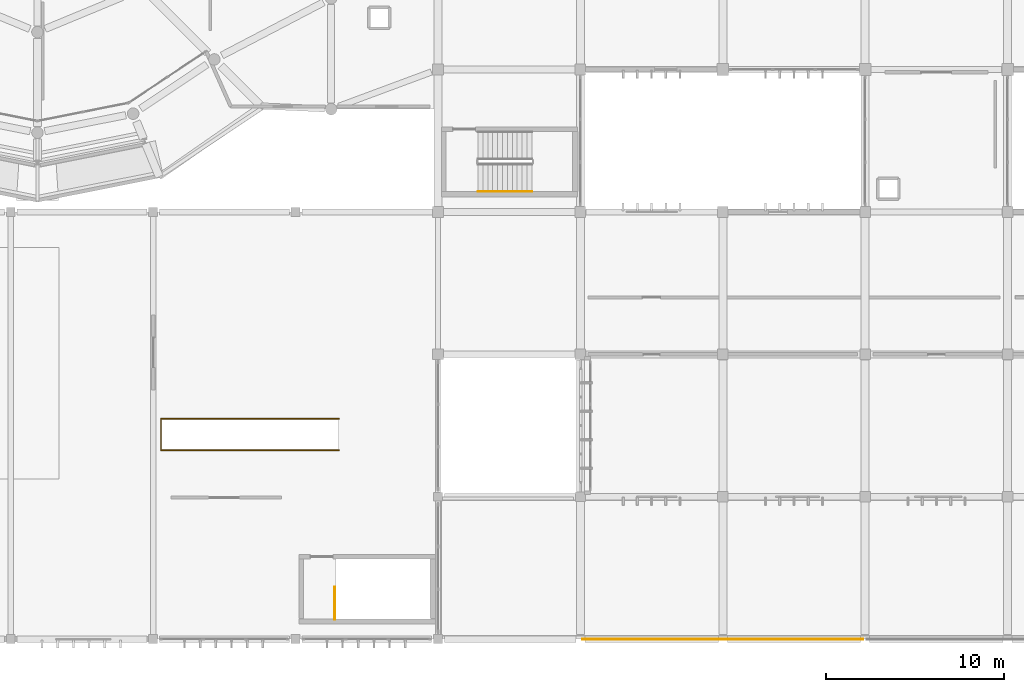
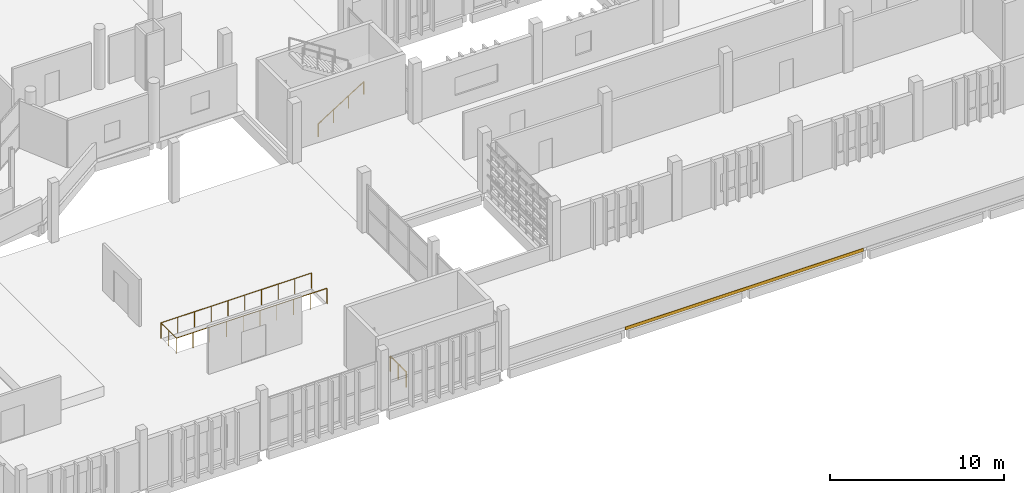
# One storey, part 128 of 137: 3 railings, 1 covering.
"""IFC4 building model written with IfcOpenShell, lengths in metres."""

from ifc_helpers import new_model, si_unit, direction, frame, origin, origin_2d, place, context, subcontext, project, spatial, rectangle, circle, extrude, material, layer, layer_set, type_object, element, save


model = new_model("IFC4")

# Units and contexts
model_context = context("Model", 3, precision=1e-05, world=origin(), true_north=direction((0.0, 1.0)))
body_context = subcontext(model_context, "Body", "Model", "MODEL_VIEW")
ifc_project = project(units=[si_unit("LENGTHUNIT", "METRE"), si_unit("AREAUNIT", "SQUARE_METRE"), si_unit("VOLUMEUNIT", "CUBIC_METRE"), si_unit("PLANEANGLEUNIT", "RADIAN"), si_unit("MASSUNIT", "GRAM", prefix="KILO")], contexts=[model_context])

# Site, building, storey
site_placement = place(None, origin())
site = spatial("IfcSite", under=ifc_project, at=site_placement, CompositionType="ELEMENT")
building_placement = place(site_placement, origin())
building = spatial("IfcBuilding", under=site, at=building_placement, Name="Jelvoka-Kovrelna Polytechnic", CompositionType="ELEMENT")
storey_placement = place(building_placement, frame((0.0, 0.0, 9.60009765625)))
storey = spatial("IfcBuildingStorey", under=building, at=storey_placement, Name="L03", CompositionType="ELEMENT", Elevation=9.60009765625)

# Covering
ifc_material_1 = material(Name="Anodised aluminium architectural fascia cladding", Category="aluminium")
ifc_layer = layer(ifc_material_1, 0.0400390625)
ifc_layer_set = layer_set([ifc_layer], Name="Anodised aluminium architectural fascia cladding")
covering_type = type_object("IfcCoveringType", Name="Covering_Fascia_Cladding_40", PredefinedType="CLADDING", material=ifc_layer_set)
covering_placement = place(storey_placement, frame((64.0, 0.0, -0.205078125), z_axis=(0.0, 0.0, 1.0), x_axis=(1.0, 0.0, 0.0)))
element("IfcCovering", 1, at=covering_placement, inside=storey, type_object=covering_type, Name="L03 colonnade eave anodised fascia cladding 01", PredefinedType="CLADDING", context=body_context, shape_type="SweptSolid", body=[
    extrude(rectangle(XDim=15.800048828125, YDim=0.0400390625, at=origin_2d()), origin(), (0.0, 0.0, 1.0), 0.219970703125),
])

# Railings
ifc_material_2 = material(Name="Powder-coated steel stair guard", Category="steel")
railing_type_1 = type_object("IfcRailingType", Name="Railing_Stair_Guard_1100", PredefinedType="GUARDRAIL", material=ifc_material_2)
railing_1_placement = place(storey_placement, frame((42.199951171875, 1.10009765625, 0.0)))
element("IfcRailing", 2, at=railing_1_placement, inside=storey, type_object=railing_type_1, Name="L03 ST04 top well guard 1", PredefinedType="GUARDRAIL", context=body_context, shape_type="SweptSolid", body=[
    extrude(circle(Radius=0.02392578125, at=origin_2d()), frame((0.0, 0.0, 1.076171875), z_axis=(0.0, 1.0, 0.0), x_axis=(-1.0, 0.0, 0.0)), (0.0, 0.0, 1.0), 1.81982421875),
    extrude(circle(Radius=0.02099609375, at=origin_2d()), origin(), (0.0, 0.0, 1.0), 1.052001953125),
    extrude(circle(Radius=0.02099609375, at=origin_2d()), frame((0.0, 0.909912109375, 0.0)), (0.0, 0.0, 1.0), 1.052001953125),
    extrude(circle(Radius=0.02099609375, at=origin_2d()), frame((0.0, 1.81982421875, 0.0)), (0.0, 0.0, 1.0), 1.052001953125),
])
railing_2_placement = place(storey_placement, frame((42.43994140625, 12.385009765625, 0.0)))
element("IfcRailing", 3, at=railing_2_placement, inside=storey, type_object=railing_type_1, Name="L03 ST15 stairwell perimeter guard", PredefinedType="GUARDRAIL", context=body_context, shape_type="SweptSolid", body=[
    extrude(circle(Radius=0.02392578125, at=origin_2d()), frame((0.0, 0.0, 1.076171875), z_axis=(-1.0, 0.0, 0.0), x_axis=(0.0, -1.0, 0.0)), (0.0, 0.0, 1.0), 10.0),
    extrude(circle(Radius=0.02392578125, at=origin_2d()), frame((-10.0, 0.0, 1.076171875), z_axis=(0.0, -1.0, 0.0), x_axis=(1.0, 0.0, 0.0)), (0.0, 0.0, 1.0), 1.77001953125),
    extrude(circle(Radius=0.02392578125, at=origin_2d()), frame((-10.0, -1.77001953125, 1.076171875), z_axis=(1.0, 0.0, 0.0), x_axis=(0.0, 1.0, 0.0)), (0.0, 0.0, 1.0), 10.0),
    extrude(circle(Radius=0.02099609375, at=origin_2d()), origin(), (0.0, 0.0, 1.0), 1.052001953125),
    extrude(circle(Radius=0.02099609375, at=origin_2d()), frame((-1.111083984375, 0.0, 0.0)), (0.0, 0.0, 1.0), 1.052001953125),
    extrude(circle(Radius=0.02099609375, at=origin_2d()), frame((-2.22216796875, 0.0, 0.0)), (0.0, 0.0, 1.0), 1.052001953125),
    extrude(circle(Radius=0.02099609375, at=origin_2d()), frame((-3.333251953125, 0.0, 0.0)), (0.0, 0.0, 1.0), 1.052001953125),
    extrude(circle(Radius=0.02099609375, at=origin_2d()), frame((-4.4443359375, 0.0, 0.0)), (0.0, 0.0, 1.0), 1.052001953125),
    extrude(circle(Radius=0.02099609375, at=origin_2d()), frame((-5.5556640625, 0.0, 0.0)), (0.0, 0.0, 1.0), 1.052001953125),
    extrude(circle(Radius=0.02099609375, at=origin_2d()), frame((-6.666748046875, 0.0, 0.0)), (0.0, 0.0, 1.0), 1.052001953125),
    extrude(circle(Radius=0.02099609375, at=origin_2d()), frame((-7.77783203125, 0.0, 0.0)), (0.0, 0.0, 1.0), 1.052001953125),
    extrude(circle(Radius=0.02099609375, at=origin_2d()), frame((-8.888916015625, 0.0, 0.0)), (0.0, 0.0, 1.0), 1.052001953125),
    extrude(circle(Radius=0.02099609375, at=origin_2d()), frame((-10.0, 0.0, 0.0)), (0.0, 0.0, 1.0), 1.052001953125),
    extrude(circle(Radius=0.02099609375, at=origin_2d()), frame((-10.0, -0.885009765625, 0.0)), (0.0, 0.0, 1.0), 1.052001953125),
    extrude(circle(Radius=0.02099609375, at=origin_2d()), frame((-10.0, -1.77001953125, 0.0)), (0.0, 0.0, 1.0), 1.052001953125),
    extrude(circle(Radius=0.02099609375, at=origin_2d()), frame((-8.888916015625, -1.77001953125, 0.0)), (0.0, 0.0, 1.0), 1.052001953125),
    extrude(circle(Radius=0.02099609375, at=origin_2d()), frame((-7.77783203125, -1.77001953125, 0.0)), (0.0, 0.0, 1.0), 1.052001953125),
    extrude(circle(Radius=0.02099609375, at=origin_2d()), frame((-6.666748046875, -1.77001953125, 0.0)), (0.0, 0.0, 1.0), 1.052001953125),
    extrude(circle(Radius=0.02099609375, at=origin_2d()), frame((-5.5556640625, -1.77001953125, 0.0)), (0.0, 0.0, 1.0), 1.052001953125),
    extrude(circle(Radius=0.02099609375, at=origin_2d()), frame((-4.4443359375, -1.77001953125, 0.0)), (0.0, 0.0, 1.0), 1.052001953125),
    extrude(circle(Radius=0.02099609375, at=origin_2d()), frame((-3.333251953125, -1.77001953125, 0.0)), (0.0, 0.0, 1.0), 1.052001953125),
    extrude(circle(Radius=0.02099609375, at=origin_2d()), frame((-2.22216796875, -1.77001953125, 0.0)), (0.0, 0.0, 1.0), 1.052001953125),
    extrude(circle(Radius=0.02099609375, at=origin_2d()), frame((-1.111083984375, -1.77001953125, 0.0)), (0.0, 0.0, 1.0), 1.052001953125),
    extrude(circle(Radius=0.02099609375, at=origin_2d()), frame((0.0, -1.77001953125, 0.0)), (0.0, 0.0, 1.0), 1.052001953125),
])
ifc_material_3 = material(Name="Brushed stainless steel handrail", Category="steel")
railing_type_2 = type_object("IfcRailingType", Name="Railing_Stair_Handrail_900", PredefinedType="HANDRAIL", material=ifc_material_3)
railing_3_placement = place(storey_placement, frame((50.25, 25.14990234375, 0.1748046875)))
element("IfcRailing", 4, at=railing_3_placement, inside=storey, type_object=railing_type_2, Name="L03 ST03 stair handrail 1", PredefinedType="HANDRAIL", context=body_context, shape_type="SweptSolid", body=[
    extrude(circle(Radius=0.02392578125, at=origin_2d()), frame((0.0, 0.0, 0.8759765625), z_axis=(0.84364746871, 0.0, 0.536897521451), x_axis=(0.0, 1.0, 0.0)), (0.0, 0.0, 1.0), 3.58544921875),
    extrude(circle(Radius=0.02099609375, at=origin_2d()), origin(), (0.0, 0.0, 1.0), 0.851806640625),
    extrude(circle(Radius=0.02099609375, at=origin_2d()), frame((1.00830078125, 0.0, 0.6416015625)), (0.0, 0.0, 1.0), 0.851806640625),
    extrude(circle(Radius=0.02099609375, at=origin_2d()), frame((2.0166015625, 0.0, 1.283447265625)), (0.0, 0.0, 1.0), 0.851806640625),
    extrude(circle(Radius=0.02099609375, at=origin_2d()), frame((3.02490234375, 0.0, 1.925048828125)), (0.0, 0.0, 1.0), 0.851806640625),
])

save(model, "model.ifc")
